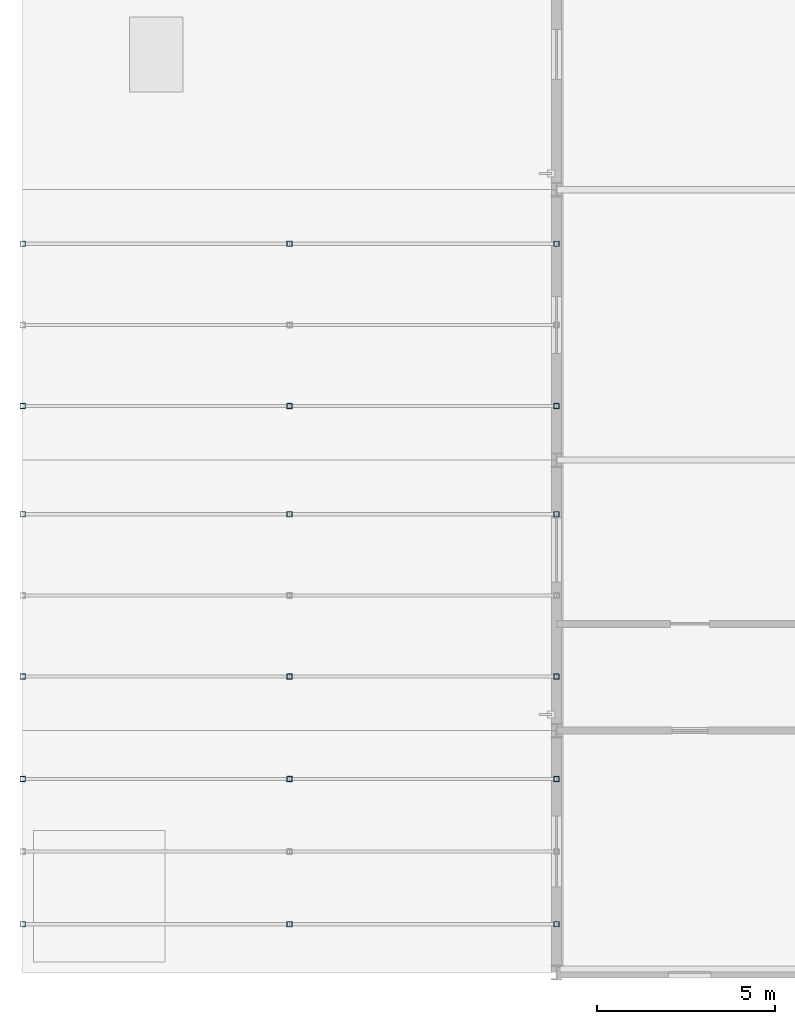
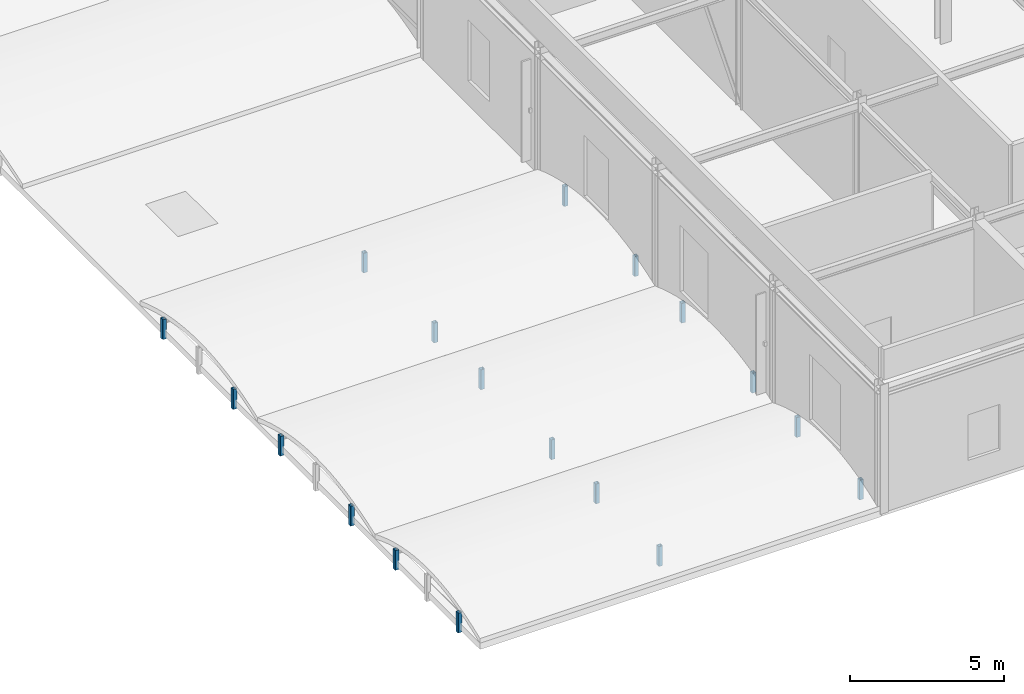
# One storey, part 49 of 79: 18 members.
"""IFC4 building model written with IfcOpenShell, lengths in metres."""

from ifc_helpers import new_model, si_unit, direction, frame, origin, origin_2d, place, context, subcontext, project, spatial, hollow_rectangle, extrude, material, material_profile, profile_set, type_object, element, save


model = new_model("IFC4")

# Units and contexts
model_context = context("Model", 3, precision=1e-05, world=origin(), true_north=direction((0.0, 1.0)))
body_context = subcontext(model_context, "Body", "Model", "MODEL_VIEW")
ifc_project = project(units=[si_unit("LENGTHUNIT", "METRE"), si_unit("AREAUNIT", "SQUARE_METRE"), si_unit("VOLUMEUNIT", "CUBIC_METRE"), si_unit("PLANEANGLEUNIT", "RADIAN"), si_unit("MASSUNIT", "GRAM", prefix="KILO")], contexts=[model_context])

# Site, building, storey
site_placement = place(None, origin())
site = spatial("IfcSite", under=ifc_project, at=site_placement, CompositionType="ELEMENT")
building_placement = place(site_placement, origin())
building = spatial("IfcBuilding", under=site, at=building_placement, Name="Shalkamar Park Central Library", CompositionType="ELEMENT")
storey_placement = place(building_placement, frame((0.0, 0.0, 10.5)))
storey = spatial("IfcBuildingStorey", under=building, at=storey_placement, Name="L03", CompositionType="ELEMENT", Elevation=10.5)

# Members
ifc_material = material(Name="Steel S355", Category="steel")
ifc_material_profile = material_profile(ifc_material, hollow_rectangle(XDim=0.14990234375, YDim=0.14990234375, WallThickness=0.008056640625, InnerFilletRadius=0.008056640625, OuterFilletRadius=0.011962890625, at=origin_2d()), Name="SHS 150x150x8")
ifc_profile_set = profile_set([ifc_material_profile], Name="Steel S355")
member_type = type_object("IfcMemberType", Name="Diagonal Brace SHS150", PredefinedType="BRACE", material=ifc_profile_set)
for number, where, z_axis, x_axis, name in (
    (1, (135.0, 249.760009765625, -0.360107421875), (0.0, 0.0, 1.0), (1.0, 0.0, 0.0), "Vault Arch Post BV-L02-W1-03.1"),
    (2, (135.0, 253.840087890625, -0.360107421875), (0.0, 0.0, 1.0), (1.0, 0.0, 0.0), "Vault Arch Post BV-L02-W1-03.3"),
    (3, (142.5, 249.760009765625, -0.360107421875), (0.0, 0.0, 1.0), (1.0, 0.0, 0.0), "Vault Arch Post BV-L02-W1-04.1"),
    (4, (142.5, 253.840087890625, -0.360107421875), (0.0, 0.0, 1.0), (1.0, 0.0, 0.0), "Vault Arch Post BV-L02-W1-04.3"),
    (5, (150.0, 249.760009765625, -0.360107421875), (0.0, 0.0, 1.0), (1.0, 0.0, 0.0), "Vault Arch Post BV-L02-W1-05.1"),
    (6, (150.0, 253.840087890625, -0.360107421875), (0.0, 0.0, 1.0), (1.0, 0.0, 0.0), "Vault Arch Post BV-L02-W1-05.3"),
    (7, (135.0, 256.719970703125, -0.360107421875), (0.0, 0.0, 1.0), (1.0, 0.0, 0.0), "Vault Arch Post BV-L02-W2-03.1"),
    (8, (135.0, 261.280029296875, -0.360107421875), (0.0, 0.0, 1.0), (1.0, 0.0, 0.0), "Vault Arch Post BV-L02-W2-03.3"),
    (9, (142.5, 256.719970703125, -0.360107421875), (0.0, 0.0, 1.0), (1.0, 0.0, 0.0), "Vault Arch Post BV-L02-W2-04.1"),
    (10, (142.5, 261.280029296875, -0.360107421875), (0.0, 0.0, 1.0), (1.0, 0.0, 0.0), "Vault Arch Post BV-L02-W2-04.3"),
    (11, (150.0, 256.719970703125, -0.360107421875), (0.0, 0.0, 1.0), (1.0, 0.0, 0.0), "Vault Arch Post BV-L02-W2-05.1"),
    (12, (150.0, 261.280029296875, -0.360107421875), (0.0, 0.0, 1.0), (1.0, 0.0, 0.0), "Vault Arch Post BV-L02-W2-05.3"),
    (13, (135.0, 264.320068359375, -0.360107421875), (0.0, 0.0, 1.0), (1.0, 0.0, 0.0), "Vault Arch Post BV-L02-W3-03.1"),
    (14, (135.0, 268.8798828125, -0.360107421875), (0.0, 0.0, 1.0), (1.0, 0.0, 0.0), "Vault Arch Post BV-L02-W3-03.3"),
    (15, (142.5, 264.320068359375, -0.360107421875), (0.0, 0.0, 1.0), (1.0, 0.0, 0.0), "Vault Arch Post BV-L02-W3-04.1"),
    (16, (142.5, 268.8798828125, -0.360107421875), (0.0, 0.0, 1.0), (1.0, 0.0, 0.0), "Vault Arch Post BV-L02-W3-04.3"),
    (17, (150.0, 264.320068359375, -0.360107421875), (0.0, 0.0, 1.0), (1.0, 0.0, 0.0), "Vault Arch Post BV-L02-W3-05.1"),
    (18, (150.0, 268.8798828125, -0.360107421875), (0.0, 0.0, 1.0), (1.0, 0.0, 0.0), "Vault Arch Post BV-L02-W3-05.3"),
):
    element("IfcMember", number, at=place(storey_placement, frame(where, z_axis=z_axis, x_axis=x_axis)), inside=storey, type_object=member_type, Name=name, PredefinedType="BRACE", context=body_context, shape_type="SweptSolid", body=[
        extrude(hollow_rectangle(XDim=0.14990234375, YDim=0.14990234375, WallThickness=0.008056640625, InnerFilletRadius=0.008056640625, OuterFilletRadius=0.011962890625, at=origin_2d()), origin(), (0.0, 0.0, 1.0), 0.781005859375),
    ])

save(model, "model.ifc")
